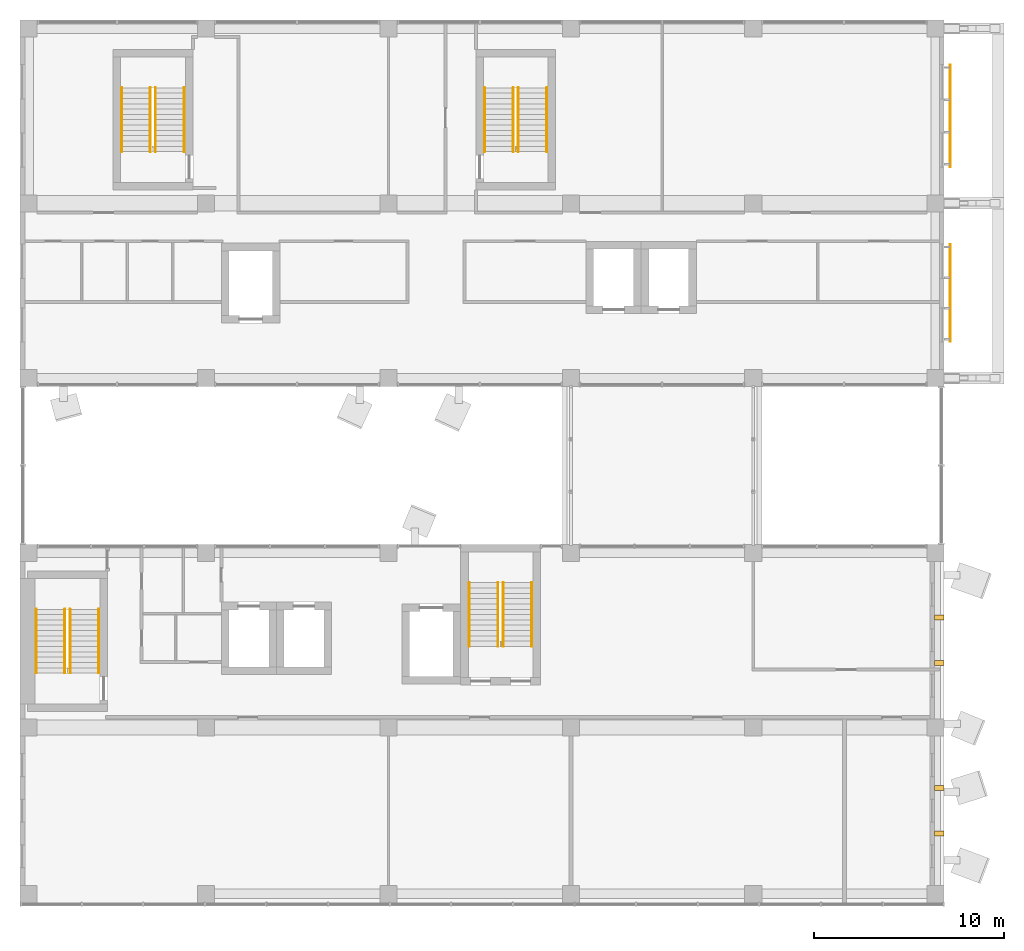
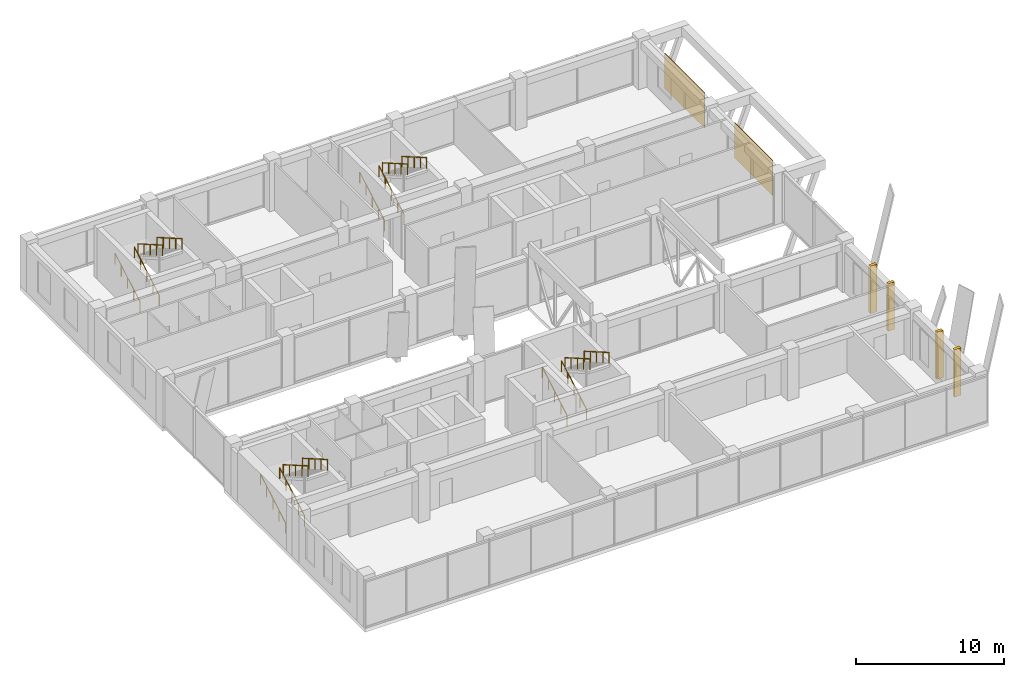
# One storey, part 33 of 38: 16 railings, 6 shading devices.
"""IFC4 building model written with IfcOpenShell, lengths in metres."""

from ifc_helpers import new_model, si_unit, direction, frame, origin, origin_2d, place, context, subcontext, project, spatial, rectangle, circle, extrude, material, type_object, element, save


model = new_model("IFC4")

# Units and contexts
model_context = context("Model", 3, precision=1e-05, world=origin(), true_north=direction((0.0, 1.0)))
body_context = subcontext(model_context, "Body", "Model", "MODEL_VIEW")
ifc_project = project(units=[si_unit("LENGTHUNIT", "METRE"), si_unit("AREAUNIT", "SQUARE_METRE"), si_unit("VOLUMEUNIT", "CUBIC_METRE"), si_unit("PLANEANGLEUNIT", "RADIAN"), si_unit("MASSUNIT", "GRAM", prefix="KILO")], contexts=[model_context])

# Site, building, storey
site_placement = place(None, origin())
site = spatial("IfcSite", under=ifc_project, at=site_placement, CompositionType="ELEMENT")
building_placement = place(site_placement, origin())
building = spatial("IfcBuilding", under=site, at=building_placement, Name="Nzadi Deep Aquarium and Research Tower", CompositionType="ELEMENT")
storey_placement = place(building_placement, frame((0.0, 0.0, 48.699951171875)))
storey = spatial("IfcBuildingStorey", under=building, at=storey_placement, Name="L09", CompositionType="ELEMENT", Elevation=48.699951171875)

# Shading devices
ifc_material_1 = material(Name="Concrete C35/45", Category="concrete")
shading_device_type_1 = type_object("IfcShadingDeviceType", Name="Fin board-formed concrete 250 deep", PredefinedType="USERDEFINED", material=ifc_material_1)
for number, where, z_axis, x_axis, name in (
    (1, (48.199951171875, 3.625, 0.0), (0.0, 0.0, 1.0), (1.0, 0.0, 0.0), "Fin blade A east L09"),
    (2, (48.199951171875, 6.02490234375, 0.0), (0.0, 0.0, 1.0), (1.0, 0.0, 0.0), "Fin blade A east L09"),
    (3, (48.199951171875, 12.60009765625, 0.0), (0.0, 0.0, 1.0), (1.0, 0.0, 0.0), "Fin blade A east L09"),
    (4, (48.199951171875, 15.0, 0.0), (0.0, 0.0, 1.0), (1.0, 0.0, 0.0), "Fin blade A east L09"),
):
    element("IfcShadingDevice", number, at=place(storey_placement, frame(where, z_axis=z_axis, x_axis=x_axis)), inside=storey, type_object=shading_device_type_1, Name=name, ObjectType="Fin", PredefinedType="USERDEFINED", context=body_context, shape_type="SweptSolid", body=[
        extrude(rectangle(XDim=0.5, YDim=0.25, at=origin_2d()), origin(), (0.0, 0.0, 1.0), 3.89990234375),
    ])

# Railings
ifc_material_2 = material(Name="Stainless steel 1.4301", Category="steel")
railing_type = type_object("IfcRailingType", Name="HANDRAIL 900", PredefinedType="HANDRAIL", material=ifc_material_2)
for number, where, name in (
    (5, (0.659912109375, 12.070068359375, 0.16162109375), "HR-ST-Z1-SW-L09-F1"),
    (6, (2.1650390625, 12.070068359375, 0.16162109375), "HR-ST-Z1-SW-L09-F1W"),
):
    element("IfcRailing", number, at=place(storey_placement, frame(where)), inside=storey, type_object=railing_type, Name=name, PredefinedType="HANDRAIL", context=body_context, shape_type="SweptSolid", body=[
        extrude(circle(Radius=0.02392578125, at=origin_2d()), frame((0.0, 0.0, 0.8759765625), z_axis=(0.0, 0.866175107563, 0.499740615757), x_axis=(-1.0, 0.0, 0.0)), (0.0, 0.0, 1.0), 3.87890625),
        extrude(circle(Radius=0.02099609375, at=origin_2d()), origin(), (0.0, 0.0, 1.0), 0.851806640625),
        extrude(circle(Radius=0.02099609375, at=origin_2d()), frame((0.0, 0.83984375, 0.484619140625)), (0.0, 0.0, 1.0), 0.851806640625),
        extrude(circle(Radius=0.02099609375, at=origin_2d()), frame((0.0, 1.679931640625, 0.96923828125)), (0.0, 0.0, 1.0), 0.851806640625),
        extrude(circle(Radius=0.02099609375, at=origin_2d()), frame((0.0, 2.52001953125, 1.453857421875)), (0.0, 0.0, 1.0), 0.851806640625),
        extrude(circle(Radius=0.02099609375, at=origin_2d()), frame((0.0, 3.35986328125, 1.9384765625)), (0.0, 0.0, 1.0), 0.851806640625),
    ])
for number, where, name in (
    (7, (3.93994140625, 15.429931640625, 2.261474609375), "HR-ST-Z1-SW-L09-F2"),
    (8, (2.43505859375, 15.429931640625, 2.261474609375), "HR-ST-Z1-SW-L09-F2W"),
):
    element("IfcRailing", number, at=place(storey_placement, frame(where)), inside=storey, type_object=railing_type, Name=name, PredefinedType="HANDRAIL", context=body_context, shape_type="SweptSolid", body=[
        extrude(circle(Radius=0.02392578125, at=origin_2d()), frame((0.0, 0.0, 0.8759765625), z_axis=(0.0, -0.866175107563, 0.499740615757), x_axis=(1.0, 0.0, 0.0)), (0.0, 0.0, 1.0), 3.87890625),
        extrude(circle(Radius=0.02099609375, at=origin_2d()), origin(), (0.0, 0.0, 1.0), 0.851806640625),
        extrude(circle(Radius=0.02099609375, at=origin_2d()), frame((0.0, -0.83984375, 0.484619140625)), (0.0, 0.0, 1.0), 0.851806640625),
        extrude(circle(Radius=0.02099609375, at=origin_2d()), frame((0.0, -1.679931640625, 0.96923828125)), (0.0, 0.0, 1.0), 0.851806640625),
        extrude(circle(Radius=0.02099609375, at=origin_2d()), frame((0.0, -2.52001953125, 1.453857421875)), (0.0, 0.0, 1.0), 0.851806640625),
        extrude(circle(Radius=0.02099609375, at=origin_2d()), frame((0.0, -3.35986328125, 1.9384765625)), (0.0, 0.0, 1.0), 0.851806640625),
    ])
for number, where, name in (
    (9, (23.4599609375, 13.469970703125, 0.16162109375), "HR-ST-Z1-SE-L09-F1"),
    (10, (24.965087890625, 13.469970703125, 0.16162109375), "HR-ST-Z1-SE-L09-F1W"),
):
    element("IfcRailing", number, at=place(storey_placement, frame(where)), inside=storey, type_object=railing_type, Name=name, PredefinedType="HANDRAIL", context=body_context, shape_type="SweptSolid", body=[
        extrude(circle(Radius=0.02392578125, at=origin_2d()), frame((0.0, 0.0, 0.8759765625), z_axis=(0.0, 0.866190824863, 0.499713372768), x_axis=(-1.0, 0.0, 0.0)), (0.0, 0.0, 1.0), 3.879150390625),
        extrude(circle(Radius=0.02099609375, at=origin_2d()), origin(), (0.0, 0.0, 1.0), 0.851806640625),
        extrude(circle(Radius=0.02099609375, at=origin_2d()), frame((0.0, 0.840087890625, 0.484619140625)), (0.0, 0.0, 1.0), 0.851806640625),
        extrude(circle(Radius=0.02099609375, at=origin_2d()), frame((0.0, 1.68017578125, 0.96923828125)), (0.0, 0.0, 1.0), 0.851806640625),
        extrude(circle(Radius=0.02099609375, at=origin_2d()), frame((0.0, 2.52001953125, 1.453857421875)), (0.0, 0.0, 1.0), 0.851806640625),
        extrude(circle(Radius=0.02099609375, at=origin_2d()), frame((0.0, 3.360107421875, 1.9384765625)), (0.0, 0.0, 1.0), 0.851806640625),
    ])
for number, where, name in (
    (11, (26.739990234375, 16.830078125, 2.261474609375), "HR-ST-Z1-SE-L09-F2"),
    (12, (25.235107421875, 16.830078125, 2.261474609375), "HR-ST-Z1-SE-L09-F2W"),
):
    element("IfcRailing", number, at=place(storey_placement, frame(where)), inside=storey, type_object=railing_type, Name=name, PredefinedType="HANDRAIL", context=body_context, shape_type="SweptSolid", body=[
        extrude(circle(Radius=0.02392578125, at=origin_2d()), frame((0.0, 0.0, 0.8759765625), z_axis=(0.0, -0.866190824863, 0.499713372768), x_axis=(1.0, 0.0, 0.0)), (0.0, 0.0, 1.0), 3.879150390625),
        extrude(circle(Radius=0.02099609375, at=origin_2d()), origin(), (0.0, 0.0, 1.0), 0.851806640625),
        extrude(circle(Radius=0.02099609375, at=origin_2d()), frame((0.0, -0.840087890625, 0.484619140625)), (0.0, 0.0, 1.0), 0.851806640625),
        extrude(circle(Radius=0.02099609375, at=origin_2d()), frame((0.0, -1.68017578125, 0.96923828125)), (0.0, 0.0, 1.0), 0.851806640625),
        extrude(circle(Radius=0.02099609375, at=origin_2d()), frame((0.0, -2.52001953125, 1.453857421875)), (0.0, 0.0, 1.0), 0.851806640625),
        extrude(circle(Radius=0.02099609375, at=origin_2d()), frame((0.0, -3.360107421875, 1.9384765625)), (0.0, 0.0, 1.0), 0.851806640625),
    ])
for number, where, name in (
    (13, (5.159912109375, 39.52001953125, 0.16162109375), "HR-ST-Z1-NW-L09-F1"),
    (14, (6.6650390625, 39.52001953125, 0.16162109375), "HR-ST-Z1-NW-L09-F1W"),
):
    element("IfcRailing", number, at=place(storey_placement, frame(where)), inside=storey, type_object=railing_type, Name=name, PredefinedType="HANDRAIL", context=body_context, shape_type="SweptSolid", body=[
        extrude(circle(Radius=0.02392578125, at=origin_2d()), frame((0.0, 0.0, 0.8759765625), z_axis=(0.0, 0.866175107563, 0.499740615757), x_axis=(-1.0, 0.0, 0.0)), (0.0, 0.0, 1.0), 3.87890625),
        extrude(circle(Radius=0.02099609375, at=origin_2d()), origin(), (0.0, 0.0, 1.0), 0.851806640625),
        extrude(circle(Radius=0.02099609375, at=origin_2d()), frame((0.0, 0.83984375, 0.484619140625)), (0.0, 0.0, 1.0), 0.851806640625),
        extrude(circle(Radius=0.02099609375, at=origin_2d()), frame((0.0, 1.679931640625, 0.96923828125)), (0.0, 0.0, 1.0), 0.851806640625),
        extrude(circle(Radius=0.02099609375, at=origin_2d()), frame((0.0, 2.52001953125, 1.453857421875)), (0.0, 0.0, 1.0), 0.851806640625),
        extrude(circle(Radius=0.02099609375, at=origin_2d()), frame((0.0, 3.35986328125, 1.9384765625)), (0.0, 0.0, 1.0), 0.851806640625),
    ])
for number, where, name in (
    (15, (8.43994140625, 42.8798828125, 2.261474609375), "HR-ST-Z1-NW-L09-F2"),
    (16, (6.93505859375, 42.8798828125, 2.261474609375), "HR-ST-Z1-NW-L09-F2W"),
):
    element("IfcRailing", number, at=place(storey_placement, frame(where)), inside=storey, type_object=railing_type, Name=name, PredefinedType="HANDRAIL", context=body_context, shape_type="SweptSolid", body=[
        extrude(circle(Radius=0.02392578125, at=origin_2d()), frame((0.0, 0.0, 0.8759765625), z_axis=(0.0, -0.866175107563, 0.499740615757), x_axis=(1.0, 0.0, 0.0)), (0.0, 0.0, 1.0), 3.87890625),
        extrude(circle(Radius=0.02099609375, at=origin_2d()), origin(), (0.0, 0.0, 1.0), 0.851806640625),
        extrude(circle(Radius=0.02099609375, at=origin_2d()), frame((0.0, -0.83984375, 0.484619140625)), (0.0, 0.0, 1.0), 0.851806640625),
        extrude(circle(Radius=0.02099609375, at=origin_2d()), frame((0.0, -1.679931640625, 0.96923828125)), (0.0, 0.0, 1.0), 0.851806640625),
        extrude(circle(Radius=0.02099609375, at=origin_2d()), frame((0.0, -2.52001953125, 1.453857421875)), (0.0, 0.0, 1.0), 0.851806640625),
        extrude(circle(Radius=0.02099609375, at=origin_2d()), frame((0.0, -3.35986328125, 1.9384765625)), (0.0, 0.0, 1.0), 0.851806640625),
    ])
for number, where, name in (
    (17, (24.260009765625, 39.52001953125, 0.16162109375), "HR-ST-Z1-NE-L09-F1"),
    (18, (25.764892578125, 39.52001953125, 0.16162109375), "HR-ST-Z1-NE-L09-F1W"),
):
    element("IfcRailing", number, at=place(storey_placement, frame(where)), inside=storey, type_object=railing_type, Name=name, PredefinedType="HANDRAIL", context=body_context, shape_type="SweptSolid", body=[
        extrude(circle(Radius=0.02392578125, at=origin_2d()), frame((0.0, 0.0, 0.8759765625), z_axis=(0.0, 0.866175107563, 0.499740615757), x_axis=(-1.0, 0.0, 0.0)), (0.0, 0.0, 1.0), 3.87890625),
        extrude(circle(Radius=0.02099609375, at=origin_2d()), origin(), (0.0, 0.0, 1.0), 0.851806640625),
        extrude(circle(Radius=0.02099609375, at=origin_2d()), frame((0.0, 0.83984375, 0.484619140625)), (0.0, 0.0, 1.0), 0.851806640625),
        extrude(circle(Radius=0.02099609375, at=origin_2d()), frame((0.0, 1.679931640625, 0.96923828125)), (0.0, 0.0, 1.0), 0.851806640625),
        extrude(circle(Radius=0.02099609375, at=origin_2d()), frame((0.0, 2.52001953125, 1.453857421875)), (0.0, 0.0, 1.0), 0.851806640625),
        extrude(circle(Radius=0.02099609375, at=origin_2d()), frame((0.0, 3.35986328125, 1.9384765625)), (0.0, 0.0, 1.0), 0.851806640625),
    ])
for number, where, name in (
    (19, (27.5400390625, 42.8798828125, 2.261474609375), "HR-ST-Z1-NE-L09-F2"),
    (20, (26.034912109375, 42.8798828125, 2.261474609375), "HR-ST-Z1-NE-L09-F2W"),
):
    element("IfcRailing", number, at=place(storey_placement, frame(where)), inside=storey, type_object=railing_type, Name=name, PredefinedType="HANDRAIL", context=body_context, shape_type="SweptSolid", body=[
        extrude(circle(Radius=0.02392578125, at=origin_2d()), frame((0.0, 0.0, 0.8759765625), z_axis=(0.0, -0.866175107563, 0.499740615757), x_axis=(1.0, 0.0, 0.0)), (0.0, 0.0, 1.0), 3.87890625),
        extrude(circle(Radius=0.02099609375, at=origin_2d()), origin(), (0.0, 0.0, 1.0), 0.851806640625),
        extrude(circle(Radius=0.02099609375, at=origin_2d()), frame((0.0, -0.83984375, 0.484619140625)), (0.0, 0.0, 1.0), 0.851806640625),
        extrude(circle(Radius=0.02099609375, at=origin_2d()), frame((0.0, -1.679931640625, 0.96923828125)), (0.0, 0.0, 1.0), 0.851806640625),
        extrude(circle(Radius=0.02099609375, at=origin_2d()), frame((0.0, -2.52001953125, 1.453857421875)), (0.0, 0.0, 1.0), 0.851806640625),
        extrude(circle(Radius=0.02099609375, at=origin_2d()), frame((0.0, -3.35986328125, 1.9384765625)), (0.0, 0.0, 1.0), 0.851806640625),
    ])

# Shading devices
ifc_material_3 = material(Name="Aluminium perforated sheet", Category="aluminium")
shading_device_type_2 = type_object("IfcShadingDeviceType", Name="Perforated screen 40 mm", PredefinedType="USERDEFINED", material=ifc_material_3)
shading_device_1_placement = place(storey_placement, frame((48.77001953125, 32.074951171875, 0.60009765625), z_axis=(0.0, 0.0, 1.0), x_axis=(1.0, 0.0, 0.0)))
element("IfcShadingDevice", 21, at=shading_device_1_placement, inside=storey, type_object=shading_device_type_2, Name="Perforated screen L09 BE", ObjectType="Screen", PredefinedType="USERDEFINED", context=body_context, shape_type="SweptSolid", body=[
    extrude(rectangle(XDim=0.0400390625, YDim=5.14990234375, at=origin_2d()), origin(), (0.0, 0.0, 1.0), 2.89990234375),
])
shading_device_2_placement = place(storey_placement, frame((48.77001953125, 41.39990234375, 0.60009765625), z_axis=(0.0, 0.0, 1.0), x_axis=(1.0, 0.0, 0.0)))
element("IfcShadingDevice", 22, at=shading_device_2_placement, inside=storey, type_object=shading_device_type_2, Name="Perforated screen L09 BE", ObjectType="Screen", PredefinedType="USERDEFINED", context=body_context, shape_type="SweptSolid", body=[
    extrude(rectangle(XDim=0.0400390625, YDim=5.39990234375, at=origin_2d()), origin(), (0.0, 0.0, 1.0), 2.89990234375),
])

save(model, "model.ifc")
